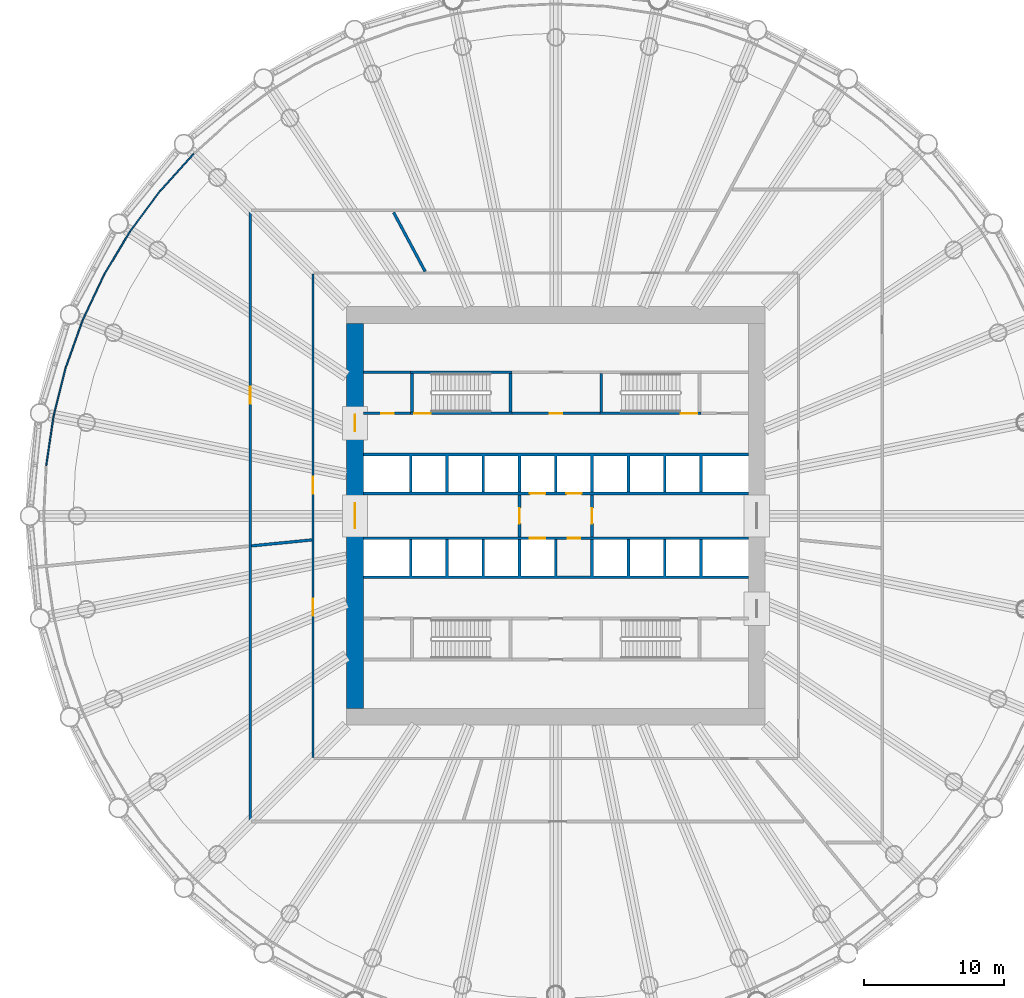
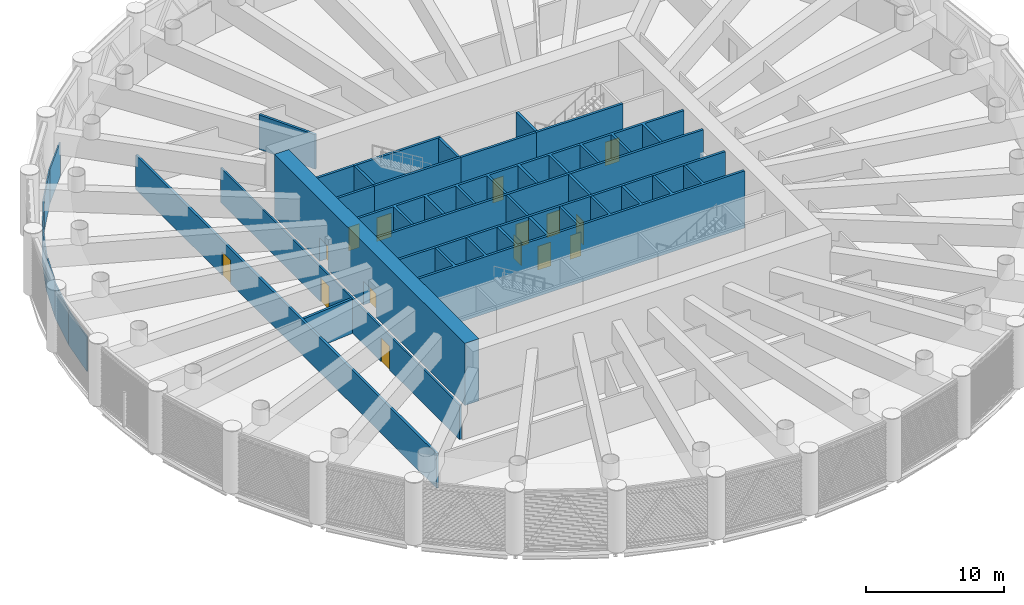
# One storey, part 9 of 26: 27 walls, 15 doors, 15 openings.
"""IFC4 building model written with IfcOpenShell, lengths in metres."""

from ifc_helpers import new_model, si_unit, direction, frame, frame_2d, origin, place, context, subcontext, project, spatial, polyline, rectangle, outline, extrude, material, layer, layer_set, type_object, element, fill, save


model = new_model("IFC4")

# Units and contexts
model_context = context("Model", 3, precision=1e-05, world=origin(), true_north=direction((0.0, 1.0)))
body_context = subcontext(model_context, "Body", "Model", "MODEL_VIEW")
ifc_project = project(units=[si_unit("LENGTHUNIT", "METRE"), si_unit("AREAUNIT", "SQUARE_METRE"), si_unit("VOLUMEUNIT", "CUBIC_METRE"), si_unit("PLANEANGLEUNIT", "RADIAN"), si_unit("MASSUNIT", "GRAM", prefix="KILO")], contexts=[model_context])

# Site, building, storey
site_placement = place(None, origin())
site = spatial("IfcSite", under=ifc_project, at=site_placement, CompositionType="ELEMENT")
building_placement = place(site_placement, origin())
building = spatial("IfcBuilding", under=site, at=building_placement, Name="Corvane Civic Tower", CompositionType="ELEMENT")
storey_placement = place(building_placement, frame((0.0, 0.0, 85.0)))
storey = spatial("IfcBuildingStorey", under=building, at=storey_placement, Name="L19", CompositionType="ELEMENT", Elevation=85.0)

# Wall, openings, doors
ifc_material_1 = material(Name="Concrete C80/95", Category="concrete")
ifc_layer_1 = layer(ifc_material_1, 1.199951171875)
ifc_layer_set_1 = layer_set([ifc_layer_1], Name="Concrete C80/95")
wall_type_1 = type_object("IfcWallType", Name="CORE WALL 1200 C80/95", PredefinedType="SHEAR", material=ifc_layer_set_1)
wall_1_placement = place(storey_placement, frame((-14.39990234375, -13.800048828125, 0.0), z_axis=(0.0, 0.0, 1.0), x_axis=(0.0, 1.0, 0.0)))
wall_1 = element("IfcWall", 1, at=wall_1_placement, inside=storey, type_object=wall_type_1, Name="W-L19-core-W", PredefinedType="SHEAR", context=body_context, shape_type="SweptSolid", body=[
    extrude(rectangle(XDim=27.60009765625, YDim=1.199951171875, at=frame_2d((13.800048828125, 0.0))), origin(), (0.0, 0.0, 1.0), 5.5),
])
opening_1_placement = place(wall_1_placement, frame((12.89990234375, 0.0, 0.0)))
opening_1 = element("IfcOpeningElement", 2, at=opening_1_placement, cuts=wall_1, Name="Opening L19.C16", PredefinedType="OPENING", context=body_context, shape_type="SweptSolid", body=[
    extrude(rectangle(XDim=1.800048828125, YDim=2.10009765625, at=frame_2d((0.89990234375, 1.050048828125))), frame((0.0, 0.60986328125, 0.0), z_axis=(0.0, -1.0, 0.0), x_axis=(1.0, 0.0, 0.0)), (0.0, 0.0, 1.0), 1.219970703125),
])
opening_2_placement = place(wall_1_placement, frame((19.85009765625, 0.0, 0.0)))
opening_2 = element("IfcOpeningElement", 3, at=opening_2_placement, cuts=wall_1, Name="Opening L19.C18", PredefinedType="OPENING", context=body_context, shape_type="SweptSolid", body=[
    extrude(rectangle(XDim=1.199951171875, YDim=2.10009765625, at=frame_2d((0.60009765625, 1.050048828125))), frame((0.0, 0.60986328125, 0.0), z_axis=(0.0, -1.0, 0.0), x_axis=(1.0, 0.0, 0.0)), (0.0, 0.0, 1.0), 1.219970703125),
])
ifc_material_2 = material(Name="Steel fire door leaf", Category="steel")
door_type_1 = type_object("IfcDoorType", Name="CR-DOOR-CORE-1800", OperationType="DOUBLE_DOOR_SINGLE_SWING", PredefinedType="DOOR", material=ifc_material_2)
door_1_placement = place(opening_1_placement, origin())
door_1 = element("IfcDoor", 4, at=door_1_placement, inside=storey, type_object=door_type_1, Name="L19 door", OperationType="DOUBLE_DOOR_SINGLE_SWING", OverallHeight=2.10009765625, OverallWidth=1.800048828125, PredefinedType="DOOR", context=body_context, shape_type="SweptSolid", body=[
    extrude(rectangle(XDim=1.800048828125, YDim=2.10009765625, at=frame_2d((0.89990234375, 1.050048828125))), frame((0.0, 0.02490234375, 0.0), z_axis=(0.0, -1.0, 0.0), x_axis=(1.0, 0.0, 0.0)), (0.0, 0.0, 1.0), 0.050048828125),
])
fill(opening_1, door_1)
door_2_placement = place(opening_2_placement, origin())
door_2 = element("IfcDoor", 5, at=door_2_placement, inside=storey, type_object=door_type_1, Name="L19 door", OperationType="DOUBLE_DOOR_SINGLE_SWING", OverallHeight=2.10009765625, OverallWidth=1.199951171875, PredefinedType="DOOR", context=body_context, shape_type="SweptSolid", body=[
    extrude(rectangle(XDim=1.199951171875, YDim=2.10009765625, at=frame_2d((0.60009765625, 1.050048828125))), frame((0.0, 0.02490234375, 0.0), z_axis=(0.0, -1.0, 0.0), x_axis=(1.0, 0.0, 0.0)), (0.0, 0.0, 1.0), 0.050048828125),
])
fill(opening_2, door_2)

ifc_material_3 = material(Name="Concrete C30/37", Category="concrete")
ifc_layer_2 = layer(ifc_material_3, 0.199951171875)
ifc_layer_set_2 = layer_set([ifc_layer_2], Name="Concrete C30/37")
wall_type_2 = type_object("IfcWallType", Name="CR-WALL-200", PredefinedType="PARTITIONING", material=ifc_layer_set_2)
wall_2_placement = place(storey_placement, frame((-13.800048828125, -1.60009765625, 0.0), z_axis=(0.0, 0.0, 1.0), x_axis=(1.0, 0.0, 0.0)))
wall_2 = element("IfcWall", 6, at=wall_2_placement, inside=storey, type_object=wall_type_2, Name="L19 lift shaft wall", PredefinedType="PARTITIONING", context=body_context, shape_type="SweptSolid", body=[
    extrude(rectangle(XDim=27.60009765625, YDim=0.199951171875, at=frame_2d((13.800048828125, 0.0))), origin(), (0.0, 0.0, 1.0), 5.050048828125),
])
opening_3_placement = place(wall_2_placement, frame((11.949951171875, 0.0, 0.0)))
opening_3 = element("IfcOpeningElement", 7, at=opening_3_placement, cuts=wall_2, Name="Opening LD", PredefinedType="OPENING", context=body_context, shape_type="SweptSolid", body=[
    extrude(rectangle(XDim=1.10009765625, YDim=2.10009765625, at=frame_2d((0.550048828125, 1.050048828125))), frame((0.0, 0.10986328125, 0.0), z_axis=(0.0, -1.0, 0.0), x_axis=(1.0, 0.0, 0.0)), (0.0, 0.0, 1.0), 0.219970703125),
])
opening_4_placement = place(wall_2_placement, frame((14.64990234375, 0.0, 0.0)))
opening_4 = element("IfcOpeningElement", 8, at=opening_4_placement, cuts=wall_2, Name="Opening L19.C01", PredefinedType="OPENING", context=body_context, shape_type="SweptSolid", body=[
    extrude(rectangle(XDim=0.89990234375, YDim=2.10009765625, at=frame_2d((0.449951171875, 1.050048828125))), frame((0.0, 0.10986328125, 0.0), z_axis=(0.0, -1.0, 0.0), x_axis=(1.0, 0.0, 0.0)), (0.0, 0.0, 1.0), 0.219970703125),
])
ifc_material_4 = material(Name="Steel fire door leaf", Category="steel")
door_type_2 = type_object("IfcDoorType", Name="CR-DOOR-900", OperationType="SINGLE_SWING_LEFT", PredefinedType="DOOR", material=ifc_material_4)
door_3_placement = place(opening_4_placement, origin())
door_3 = element("IfcDoor", 9, at=door_3_placement, inside=storey, type_object=door_type_2, Name="L19 door", OperationType="SINGLE_SWING_LEFT", OverallHeight=2.10009765625, OverallWidth=0.89990234375, PredefinedType="DOOR", context=body_context, shape_type="SweptSolid", body=[
    extrude(rectangle(XDim=0.89990234375, YDim=2.10009765625, at=frame_2d((0.449951171875, 1.050048828125))), frame((0.0, 0.02490234375, 0.0), z_axis=(0.0, -1.0, 0.0), x_axis=(1.0, 0.0, 0.0)), (0.0, 0.0, 1.0), 0.050048828125),
])
fill(opening_4, door_3)
ifc_material_5 = material(Name="Stainless steel 316 door leaves", Category="steel")
door_type_3 = type_object("IfcDoorType", Name="LD", OperationType="DOUBLE_DOOR_SLIDING", PredefinedType="DOOR", material=ifc_material_5)
door_4_placement = place(opening_3_placement, origin())
door_4 = element("IfcDoor", 10, at=door_4_placement, inside=storey, type_object=door_type_3, Name="L19 landing door", OperationType="DOUBLE_DOOR_SLIDING", OverallHeight=2.10009765625, OverallWidth=1.10009765625, PredefinedType="DOOR", context=body_context, shape_type="SweptSolid", body=[
    extrude(rectangle(XDim=1.10009765625, YDim=2.10009765625, at=frame_2d((0.550048828125, 1.050048828125))), frame((0.0, 0.02490234375, 0.0), z_axis=(0.0, -1.0, 0.0), x_axis=(1.0, 0.0, 0.0)), (0.0, 0.0, 1.0), 0.050048828125),
])
fill(opening_3, door_4)

wall_3_placement = place(storey_placement, frame((-13.800048828125, 1.60009765625, 0.0), z_axis=(0.0, 0.0, 1.0), x_axis=(1.0, 0.0, 0.0)))
wall_3 = element("IfcWall", 11, at=wall_3_placement, inside=storey, type_object=wall_type_2, Name="L19 lift shaft wall", PredefinedType="PARTITIONING", context=body_context, shape_type="SweptSolid", body=[
    extrude(rectangle(XDim=27.60009765625, YDim=0.199951171875, at=frame_2d((13.800048828125, 0.0))), origin(), (0.0, 0.0, 1.0), 5.050048828125),
])
opening_5_placement = place(wall_3_placement, frame((11.949951171875, 0.0, 0.0)))
opening_5 = element("IfcOpeningElement", 12, at=opening_5_placement, cuts=wall_3, Name="Opening LD", PredefinedType="OPENING", context=body_context, shape_type="SweptSolid", body=[
    extrude(rectangle(XDim=1.10009765625, YDim=2.10009765625, at=frame_2d((0.550048828125, 1.050048828125))), frame((0.0, 0.10986328125, 0.0), z_axis=(0.0, -1.0, 0.0), x_axis=(1.0, 0.0, 0.0)), (0.0, 0.0, 1.0), 0.219970703125),
])
opening_6_placement = place(wall_3_placement, frame((14.550048828125, 0.0, 0.0)))
opening_6 = element("IfcOpeningElement", 13, at=opening_6_placement, cuts=wall_3, Name="Opening LD", PredefinedType="OPENING", context=body_context, shape_type="SweptSolid", body=[
    extrude(rectangle(XDim=1.10009765625, YDim=2.10009765625, at=frame_2d((0.550048828125, 1.050048828125))), frame((0.0, 0.10986328125, 0.0), z_axis=(0.0, -1.0, 0.0), x_axis=(1.0, 0.0, 0.0)), (0.0, 0.0, 1.0), 0.219970703125),
])
door_5_placement = place(opening_5_placement, origin())
door_5 = element("IfcDoor", 14, at=door_5_placement, inside=storey, type_object=door_type_3, Name="L19 landing door", OperationType="DOUBLE_DOOR_SLIDING", OverallHeight=2.10009765625, OverallWidth=1.10009765625, PredefinedType="DOOR", context=body_context, shape_type="SweptSolid", body=[
    extrude(rectangle(XDim=1.10009765625, YDim=2.10009765625, at=frame_2d((0.550048828125, 1.050048828125))), frame((0.0, 0.02490234375, 0.0), z_axis=(0.0, -1.0, 0.0), x_axis=(1.0, 0.0, 0.0)), (0.0, 0.0, 1.0), 0.050048828125),
])
fill(opening_5, door_5)
door_6_placement = place(opening_6_placement, origin())
door_6 = element("IfcDoor", 15, at=door_6_placement, inside=storey, type_object=door_type_3, Name="L19 landing door", OperationType="DOUBLE_DOOR_SLIDING", OverallHeight=2.10009765625, OverallWidth=1.10009765625, PredefinedType="DOOR", context=body_context, shape_type="SweptSolid", body=[
    extrude(rectangle(XDim=1.10009765625, YDim=2.10009765625, at=frame_2d((0.550048828125, 1.050048828125))), frame((0.0, 0.02490234375, 0.0), z_axis=(0.0, -1.0, 0.0), x_axis=(1.0, 0.0, 0.0)), (0.0, 0.0, 1.0), 0.050048828125),
])
fill(opening_6, door_6)

# Wall, opening, door
wall_4_placement = place(storey_placement, frame((-13.800048828125, 7.35009765625, 0.0), z_axis=(0.0, 0.0, 1.0), x_axis=(1.0, 0.0, 0.0)))
wall_4 = element("IfcWall", 16, at=wall_4_placement, inside=storey, type_object=wall_type_2, Name="L19 core partition wall", PredefinedType="PARTITIONING", context=body_context, shape_type="SweptSolid", body=[
    extrude(rectangle(XDim=3.400146484375, YDim=0.199951171875, at=frame_2d((1.7001953125, 0.0))), origin(), (0.0, 0.0, 1.0), 5.050048828125),
])
opening_7_placement = place(wall_4_placement, frame((1.300048828125, 0.0, 0.0)))
opening_7 = element("IfcOpeningElement", 17, at=opening_7_placement, cuts=wall_4, Name="Opening L19.C06", PredefinedType="OPENING", context=body_context, shape_type="SweptSolid", body=[
    extrude(rectangle(XDim=0.89990234375, YDim=2.10009765625, at=frame_2d((0.449951171875, 1.050048828125))), frame((0.0, 0.10986328125, 0.0), z_axis=(0.0, -1.0, 0.0), x_axis=(1.0, 0.0, 0.0)), (0.0, 0.0, 1.0), 0.219970703125),
])
door_7_placement = place(opening_7_placement, origin())
door_7 = element("IfcDoor", 18, at=door_7_placement, inside=storey, type_object=door_type_2, Name="L19 door", OperationType="SINGLE_SWING_LEFT", OverallHeight=2.10009765625, OverallWidth=0.89990234375, PredefinedType="DOOR", context=body_context, shape_type="SweptSolid", body=[
    extrude(rectangle(XDim=0.89990234375, YDim=2.10009765625, at=frame_2d((0.449951171875, 1.050048828125))), frame((0.0, 0.02490234375, 0.0), z_axis=(0.0, -1.0, 0.0), x_axis=(1.0, 0.0, 0.0)), (0.0, 0.0, 1.0), 0.050048828125),
])
fill(opening_7, door_7)

wall_5_placement = place(storey_placement, frame((-3.14990234375, 7.35009765625, 0.0), z_axis=(0.0, 0.0, 1.0), x_axis=(1.0, 0.0, 0.0)))
wall_5 = element("IfcWall", 19, at=wall_5_placement, inside=storey, type_object=wall_type_2, Name="L19 core partition wall", PredefinedType="PARTITIONING", context=body_context, shape_type="SweptSolid", body=[
    extrude(rectangle(XDim=6.2998046875, YDim=0.199951171875, at=frame_2d((3.14990234375, 0.0))), origin(), (0.0, 0.0, 1.0), 5.050048828125),
])
opening_8_placement = place(wall_5_placement, frame((2.699951171875, 0.0, 0.0)))
opening_8 = element("IfcOpeningElement", 20, at=opening_8_placement, cuts=wall_5, Name="Opening L19.C02", PredefinedType="OPENING", context=body_context, shape_type="SweptSolid", body=[
    extrude(rectangle(XDim=0.89990234375, YDim=2.10009765625, at=frame_2d((0.449951171875, 1.050048828125))), frame((0.0, 0.10986328125, 0.0), z_axis=(0.0, -1.0, 0.0), x_axis=(1.0, 0.0, 0.0)), (0.0, 0.0, 1.0), 0.219970703125),
])
door_8_placement = place(opening_8_placement, origin())
door_8 = element("IfcDoor", 21, at=door_8_placement, inside=storey, type_object=door_type_2, Name="L19 door", OperationType="SINGLE_SWING_LEFT", OverallHeight=2.10009765625, OverallWidth=0.89990234375, PredefinedType="DOOR", context=body_context, shape_type="SweptSolid", body=[
    extrude(rectangle(XDim=0.89990234375, YDim=2.10009765625, at=frame_2d((0.449951171875, 1.050048828125))), frame((0.0, 0.02490234375, 0.0), z_axis=(0.0, -1.0, 0.0), x_axis=(1.0, 0.0, 0.0)), (0.0, 0.0, 1.0), 0.050048828125),
])
fill(opening_8, door_8)

wall_6_placement = place(storey_placement, frame((-2.60009765625, -1.5, 0.0), z_axis=(0.0, 0.0, 1.0), x_axis=(0.0, 1.0, 0.0)))
wall_6 = element("IfcWall", 22, at=wall_6_placement, inside=storey, type_object=wall_type_2, Name="L19 firefighting lobby wall", PredefinedType="PARTITIONING", context=body_context, shape_type="SweptSolid", body=[
    extrude(rectangle(XDim=3.0, YDim=0.199951171875, at=frame_2d((1.5, 0.0))), origin(), (0.0, 0.0, 1.0), 5.050048828125),
])
opening_9_placement = place(wall_6_placement, frame((0.949951171875, 0.0, 0.0)))
opening_9 = element("IfcOpeningElement", 23, at=opening_9_placement, cuts=wall_6, Name="Opening L19.C14", PredefinedType="OPENING", context=body_context, shape_type="SweptSolid", body=[
    extrude(rectangle(XDim=1.10009765625, YDim=2.10009765625, at=frame_2d((0.550048828125, 1.050048828125))), frame((0.0, 0.10986328125, 0.0), z_axis=(0.0, -1.0, 0.0), x_axis=(1.0, 0.0, 0.0)), (0.0, 0.0, 1.0), 0.219970703125),
])
ifc_material_6 = material(Name="Steel fire door leaf", Category="steel")
door_type_4 = type_object("IfcDoorType", Name="CR-DOOR-FFL-1100", OperationType="SINGLE_SWING_LEFT", PredefinedType="DOOR", material=ifc_material_6)
door_9_placement = place(opening_9_placement, origin())
door_9 = element("IfcDoor", 24, at=door_9_placement, inside=storey, type_object=door_type_4, Name="L19 lobby door", OperationType="SINGLE_SWING_LEFT", OverallHeight=2.10009765625, OverallWidth=1.10009765625, PredefinedType="DOOR", context=body_context, shape_type="SweptSolid", body=[
    extrude(rectangle(XDim=1.10009765625, YDim=2.10009765625, at=frame_2d((0.550048828125, 1.050048828125))), frame((0.0, 0.02490234375, 0.0), z_axis=(0.0, -1.0, 0.0), x_axis=(1.0, 0.0, 0.0)), (0.0, 0.0, 1.0), 0.050048828125),
])
fill(opening_9, door_9)

wall_7_placement = place(storey_placement, frame((2.60009765625, -1.5, 0.0), z_axis=(0.0, 0.0, 1.0), x_axis=(0.0, 1.0, 0.0)))
wall_7 = element("IfcWall", 25, at=wall_7_placement, inside=storey, type_object=wall_type_2, Name="L19 firefighting lobby wall", PredefinedType="PARTITIONING", context=body_context, shape_type="SweptSolid", body=[
    extrude(rectangle(XDim=3.0, YDim=0.199951171875, at=frame_2d((1.5, 0.0))), origin(), (0.0, 0.0, 1.0), 5.050048828125),
])
opening_10_placement = place(wall_7_placement, frame((0.949951171875, 0.0, 0.0)))
opening_10 = element("IfcOpeningElement", 26, at=opening_10_placement, cuts=wall_7, Name="Opening L19.C15", PredefinedType="OPENING", context=body_context, shape_type="SweptSolid", body=[
    extrude(rectangle(XDim=1.10009765625, YDim=2.10009765625, at=frame_2d((0.550048828125, 1.050048828125))), frame((0.0, 0.10986328125, 0.0), z_axis=(0.0, -1.0, 0.0), x_axis=(1.0, 0.0, 0.0)), (0.0, 0.0, 1.0), 0.219970703125),
])
door_10_placement = place(opening_10_placement, origin())
door_10 = element("IfcDoor", 27, at=door_10_placement, inside=storey, type_object=door_type_4, Name="L19 lobby door", OperationType="SINGLE_SWING_LEFT", OverallHeight=2.10009765625, OverallWidth=1.10009765625, PredefinedType="DOOR", context=body_context, shape_type="SweptSolid", body=[
    extrude(rectangle(XDim=1.10009765625, YDim=2.10009765625, at=frame_2d((0.550048828125, 1.050048828125))), frame((0.0, 0.02490234375, 0.0), z_axis=(0.0, -1.0, 0.0), x_axis=(1.0, 0.0, 0.0)), (0.0, 0.0, 1.0), 0.050048828125),
])
fill(opening_10, door_10)

# Walls
wall_8_placement = place(storey_placement, origin())
element("IfcWall", 28, at=wall_8_placement, inside=storey, type_object=wall_type_2, Name="L19 core partition wall", PredefinedType="PARTITIONING", context=body_context, shape_type="SweptSolid", body=[
    extrude(outline(polyline([(-13.800048828125, 10.199951171875), (-13.800048828125, 10.39990234375), (-10.39990234375, 10.39990234375), (-10.39990234375, 10.199951171875), (-13.800048828125, 10.199951171875)])), origin(), (0.0, 0.0, 1.0), 5.050048828125),
])
wall_9_placement = place(storey_placement, origin())
element("IfcWall", 29, at=wall_9_placement, inside=storey, type_object=wall_type_2, Name="L19 core partition wall", PredefinedType="PARTITIONING", context=body_context, shape_type="SweptSolid", body=[
    extrude(outline(polyline([(-10.5, -1.699951171875), (-10.300048828125, -1.699951171875), (-10.300048828125, -4.300048828125), (-7.89990234375, -4.300048828125), (-7.89990234375, -1.699951171875), (-7.699951171875, -1.699951171875), (-7.699951171875, -4.300048828125), (-5.300048828125, -4.300048828125), (-5.300048828125, -1.699951171875), (-5.10009765625, -1.699951171875), (-5.10009765625, -4.300048828125), (-2.699951171875, -4.300048828125), (-2.699951171875, -1.699951171875), (-2.5, -1.699951171875), (-2.5, -4.300048828125), (-0.10009765625, -4.300048828125), (-0.10009765625, -1.699951171875), (0.10009765625, -1.699951171875), (0.10009765625, -4.300048828125), (2.5, -4.300048828125), (2.5, -1.699951171875), (2.699951171875, -1.699951171875), (2.699951171875, -4.300048828125), (5.10009765625, -4.300048828125), (5.10009765625, -1.699951171875), (5.300048828125, -1.699951171875), (5.300048828125, -4.300048828125), (7.699951171875, -4.300048828125), (7.699951171875, -1.699951171875), (7.89990234375, -1.699951171875), (7.89990234375, -4.300048828125), (10.300048828125, -4.300048828125), (10.300048828125, -1.699951171875), (10.5, -1.699951171875), (10.5, -4.300048828125), (13.800048828125, -4.300048828125), (13.800048828125, -4.5), (-13.800048828125, -4.5), (-13.800048828125, -4.300048828125), (-10.5, -4.300048828125), (-10.5, -1.699951171875)])), origin(), (0.0, 0.0, 1.0), 5.050048828125),
])
wall_10_placement = place(storey_placement, origin())
element("IfcWall", 30, at=wall_10_placement, inside=storey, type_object=wall_type_2, Name="L19 core partition wall", PredefinedType="PARTITIONING", context=body_context, shape_type="SweptSolid", body=[
    extrude(outline(polyline([(-7.699951171875, 4.300048828125), (-7.699951171875, 1.699951171875), (-7.89990234375, 1.699951171875), (-7.89990234375, 4.300048828125), (-10.300048828125, 4.300048828125), (-10.300048828125, 1.699951171875), (-10.5, 1.699951171875), (-10.5, 4.300048828125), (-13.800048828125, 4.300048828125), (-13.800048828125, 4.5), (13.800048828125, 4.5), (13.800048828125, 4.300048828125), (10.5, 4.300048828125), (10.5, 1.699951171875), (10.300048828125, 1.699951171875), (10.300048828125, 4.300048828125), (7.89990234375, 4.300048828125), (7.89990234375, 1.699951171875), (7.699951171875, 1.699951171875), (7.699951171875, 4.300048828125), (5.300048828125, 4.300048828125), (5.300048828125, 1.699951171875), (5.10009765625, 1.699951171875), (5.10009765625, 4.300048828125), (2.699951171875, 4.300048828125), (2.699951171875, 1.699951171875), (2.5, 1.699951171875), (2.5, 4.300048828125), (0.10009765625, 4.300048828125), (0.10009765625, 1.699951171875), (-0.10009765625, 1.699951171875), (-0.10009765625, 4.300048828125), (-2.5, 4.300048828125), (-2.5, 1.699951171875), (-2.699951171875, 1.699951171875), (-2.699951171875, 4.300048828125), (-5.10009765625, 4.300048828125), (-5.10009765625, 1.699951171875), (-5.300048828125, 1.699951171875), (-5.300048828125, 4.300048828125), (-7.699951171875, 4.300048828125)])), origin(), (0.0, 0.0, 1.0), 5.050048828125),
])
ifc_material_7 = material(Name="Plasterboard")
ifc_layer_3 = layer(ifc_material_7, 0.10009765625)
ifc_layer_set_3 = layer_set([ifc_layer_3], Name="Plasterboard")
wall_type_3 = type_object("IfcWallType", Name="Partition 100 plasterboard on studs", PredefinedType="PARTITIONING", material=ifc_layer_set_3)
wall_11_placement = place(storey_placement, frame((-28.368408203125, 23.281494140625, 0.0), z_axis=(0.0, 0.0, 1.0), x_axis=(0.671545014359, 0.740963760038, 0.0)))
element("IfcWall", 31, at=wall_11_placement, inside=storey, type_object=wall_type_3, Name="Partition L19.067", PredefinedType="PARTITIONING", context=body_context, shape_type="SweptSolid", body=[
    extrude(rectangle(XDim=3.601318359375, YDim=0.10009765625, at=frame_2d((1.80078125, 0.0))), origin(), (0.0, 0.0, 1.0), 3.050048828125),
])
for number, where, z_axis, x_axis, name in (
    (32, (-30.513916015625, 20.388671875, 0.0), (0.0, 0.0, 1.0), (0.595707293286, 0.803201606526, 0.0), "Partition L19.069"),
    (33, (-32.365478515625, 17.299560546875, 0.0), (0.0, 0.0, 1.0), (0.514106916367, 0.857726109282, 0.0), "Partition L19.071"),
):
    element("IfcWall", number, at=place(storey_placement, frame(where, z_axis=z_axis, x_axis=x_axis)), inside=storey, type_object=wall_type_3, Name=name, PredefinedType="PARTITIONING", context=body_context, shape_type="SweptSolid", body=[
        extrude(rectangle(XDim=3.6015625, YDim=0.10009765625, at=frame_2d((1.80078125, 0.0))), origin(), (0.0, 0.0, 1.0), 3.050048828125),
    ])
for number, where, z_axis, x_axis, name in (
    (34, (-33.9052734375, 14.0439453125, 0.0), (0.0, 0.0, 1.0), (0.427555908533, 0.903988907608, 0.0), "Partition L19.073"),
    (35, (-35.118408203125, 10.653076171875, 0.0), (0.0, 0.0, 1.0), (0.336855978405, 0.94155618516, 0.0), "Partition L19.075"),
    (36, (-35.99365234375, 7.15966796875, 0.0), (0.0, 0.0, 1.0), (0.243030067704, 0.970018755588, 0.0), "Partition L19.077"),
):
    element("IfcWall", number, at=place(storey_placement, frame(where, z_axis=z_axis, x_axis=x_axis)), inside=storey, type_object=wall_type_3, Name=name, PredefinedType="PARTITIONING", context=body_context, shape_type="SweptSolid", body=[
        extrude(rectangle(XDim=3.601318359375, YDim=0.10009765625, at=frame_2d((1.80078125, 0.0))), origin(), (0.0, 0.0, 1.0), 3.050048828125),
    ])
wall_12_placement = place(storey_placement, frame((-36.52197265625, 3.59716796875, 0.0), z_axis=(0.0, 0.0, 1.0), x_axis=(0.14669606709, 0.989181613204, 0.0)))
element("IfcWall", 37, at=wall_12_placement, inside=storey, type_object=wall_type_3, Name="Partition L19.079", PredefinedType="PARTITIONING", context=body_context, shape_type="SweptSolid", body=[
    extrude(rectangle(XDim=3.6015625, YDim=0.10009765625, at=frame_2d((1.80078125, 0.0))), origin(), (0.0, 0.0, 1.0), 3.050048828125),
])

# Wall, opening, door
ifc_material_8 = material(Name="Gypsum fibreboard")
ifc_layer_4 = layer(ifc_material_8, 0.199951171875)
ifc_layer_set_4 = layer_set([ifc_layer_4], Name="Gypsum fibreboard")
wall_type_4 = type_object("IfcWallType", Name="Plant and refuge wall 200 EI 120", PredefinedType="PARTITIONING", material=ifc_layer_set_4)
wall_13_placement = place(storey_placement, frame((-21.89990234375, -21.800048828125, 0.0), z_axis=(0.0, 0.0, 1.0), x_axis=(0.0, 1.0, 0.0)))
wall_13 = element("IfcWall", 38, at=wall_13_placement, inside=storey, type_object=wall_type_4, Name="Partition L19.005", PredefinedType="PARTITIONING", context=body_context, shape_type="SweptSolid", body=[
    extrude(rectangle(XDim=43.60009765625, YDim=0.199951171875, at=frame_2d((21.800048828125, 0.0))), origin(), (0.0, 0.0, 1.0), 3.050048828125),
])
opening_11_placement = place(wall_13_placement, frame((29.847412109375, 0.0, 0.0)))
opening_11 = element("IfcOpeningElement", 39, at=opening_11_placement, cuts=wall_13, Name="Opening L19.004", PredefinedType="OPENING", context=body_context, shape_type="SweptSolid", body=[
    extrude(rectangle(XDim=1.199951171875, YDim=2.10009765625, at=frame_2d((0.60009765625, 1.050048828125))), frame((0.0, 0.10986328125, 0.0), z_axis=(0.0, -1.0, 0.0), x_axis=(1.0, 0.0, 0.0)), (0.0, 0.0, 1.0), 0.219970703125),
])
ifc_material_9 = material(Name="Steel and timber", Category="steel")
door_type_5 = type_object("IfcDoorType", Name="Fire door FD60 1200", OperationType="NOTDEFINED", PredefinedType="DOOR", material=ifc_material_9)
door_11_placement = place(opening_11_placement, origin())
door_11 = element("IfcDoor", 40, at=door_11_placement, inside=storey, type_object=door_type_5, Name="Door L19.004", OperationType="SINGLE_SWING_LEFT", OverallHeight=2.10009765625, OverallWidth=1.199951171875, PredefinedType="DOOR", context=body_context, shape_type="SweptSolid", body=[
    extrude(rectangle(XDim=1.199951171875, YDim=2.10009765625, at=frame_2d((0.60009765625, 1.050048828125))), frame((0.0, 0.02490234375, 0.0), z_axis=(0.0, -1.0, 0.0), x_axis=(1.0, 0.0, 0.0)), (0.0, 0.0, 1.0), 0.050048828125),
])
fill(opening_11, door_11)

# Walls
wall_14_placement = place(storey_placement, frame((-21.800048828125, -2.147216796875, 0.0), z_axis=(0.0, 0.0, 1.0), x_axis=(0.995183823455, 0.098026310418, 0.0)))
element("IfcWall", 41, at=wall_14_placement, inside=storey, type_object=wall_type_4, Name="Partition L19.012", PredefinedType="PARTITIONING", context=body_context, shape_type="SweptSolid", body=[
    extrude(rectangle(XDim=4.336181640625, YDim=0.199951171875, at=frame_2d((2.16796875, 0.0))), origin(), (0.0, 0.0, 1.0), 3.050048828125),
])
wall_15_placement = place(storey_placement, frame((-11.627197265625, 21.7529296875, 0.0), z_axis=(0.0, 0.0, 1.0), x_axis=(0.471414807464, -0.881911605153, 0.0)))
element("IfcWall", 42, at=wall_15_placement, inside=storey, type_object=wall_type_4, Name="Partition L19.014", PredefinedType="PARTITIONING", context=body_context, shape_type="SweptSolid", body=[
    extrude(rectangle(XDim=4.797119140625, YDim=0.199951171875, at=frame_2d((2.3984375, 0.0))), origin(), (0.0, 0.0, 1.0), 3.050048828125),
])

# Wall, opening, door
ifc_material_10 = material(Name="Concrete C50/60", Category="concrete")
ifc_layer_5 = layer(ifc_material_10, 0.199951171875)
ifc_layer_set_5 = layer_set([ifc_layer_5], Name="Concrete C50/60")
wall_type_5 = type_object("IfcWallType", Name="ST-WALL-200", PredefinedType="SHEAR", material=ifc_layer_set_5)
wall_16_placement = place(storey_placement, frame((-10.39990234375, 7.35009765625, 0.0), z_axis=(0.0, 0.0, 1.0), x_axis=(1.0, 0.0, 0.0)))
wall_16 = element("IfcWall", 43, at=wall_16_placement, inside=storey, type_object=wall_type_5, Name="L19 stair enclosure wall", PredefinedType="SHEAR", context=body_context, shape_type="SweptSolid", body=[
    extrude(rectangle(XDim=7.25, YDim=0.199951171875, at=frame_2d((3.625, 0.0))), origin(), (0.0, 0.0, 1.0), 5.050048828125),
])
opening_12_placement = place(wall_16_placement, frame((0.25, 0.0, 0.0)))
opening_12 = element("IfcOpeningElement", 44, at=opening_12_placement, cuts=wall_16, Name="Opening L19.C11", PredefinedType="OPENING", context=body_context, shape_type="SweptSolid", body=[
    extrude(rectangle(XDim=1.199951171875, YDim=2.10009765625, at=frame_2d((0.60009765625, 1.050048828125))), frame((0.0, 0.10986328125, 0.0), z_axis=(0.0, -1.0, 0.0), x_axis=(1.0, 0.0, 0.0)), (0.0, 0.0, 1.0), 0.219970703125),
])
ifc_material_11 = material(Name="Steel fire door leaf", Category="steel")
door_type_6 = type_object("IfcDoorType", Name="ST-DOOR-1200", OperationType="SINGLE_SWING_RIGHT", PredefinedType="DOOR", material=ifc_material_11)
door_12_placement = place(opening_12_placement, origin())
door_12 = element("IfcDoor", 45, at=door_12_placement, inside=storey, type_object=door_type_6, Name="L19 stair door", OperationType="SINGLE_SWING_RIGHT", OverallHeight=2.10009765625, OverallWidth=1.199951171875, PredefinedType="DOOR", context=body_context, shape_type="SweptSolid", body=[
    extrude(rectangle(XDim=1.199951171875, YDim=2.10009765625, at=frame_2d((0.60009765625, 1.050048828125))), frame((0.0, 0.02490234375, 0.0), z_axis=(0.0, -1.0, 0.0), x_axis=(1.0, 0.0, 0.0)), (0.0, 0.0, 1.0), 0.050048828125),
])
fill(opening_12, door_12)

wall_17_placement = place(storey_placement, frame((3.14990234375, 7.35009765625, 0.0), z_axis=(0.0, 0.0, 1.0), x_axis=(1.0, 0.0, 0.0)))
wall_17 = element("IfcWall", 46, at=wall_17_placement, inside=storey, type_object=wall_type_5, Name="L19 stair enclosure wall", PredefinedType="SHEAR", context=body_context, shape_type="SweptSolid", body=[
    extrude(rectangle(XDim=7.25, YDim=0.199951171875, at=frame_2d((3.625, 0.0))), origin(), (0.0, 0.0, 1.0), 5.050048828125),
])
opening_13_placement = place(wall_17_placement, frame((5.800048828125, 0.0, 0.0)))
opening_13 = element("IfcOpeningElement", 47, at=opening_13_placement, cuts=wall_17, Name="Opening L19.C10", PredefinedType="OPENING", context=body_context, shape_type="SweptSolid", body=[
    extrude(rectangle(XDim=1.199951171875, YDim=2.10009765625, at=frame_2d((0.60009765625, 1.050048828125))), frame((0.0, 0.10986328125, 0.0), z_axis=(0.0, -1.0, 0.0), x_axis=(1.0, 0.0, 0.0)), (0.0, 0.0, 1.0), 0.219970703125),
])
door_13_placement = place(opening_13_placement, origin())
door_13 = element("IfcDoor", 48, at=door_13_placement, inside=storey, type_object=door_type_6, Name="L19 stair door", OperationType="SINGLE_SWING_RIGHT", OverallHeight=2.10009765625, OverallWidth=1.199951171875, PredefinedType="DOOR", context=body_context, shape_type="SweptSolid", body=[
    extrude(rectangle(XDim=1.199951171875, YDim=2.10009765625, at=frame_2d((0.60009765625, 1.050048828125))), frame((0.0, 0.02490234375, 0.0), z_axis=(0.0, -1.0, 0.0), x_axis=(1.0, 0.0, 0.0)), (0.0, 0.0, 1.0), 0.050048828125),
])
fill(opening_13, door_13)

# Walls
wall_18_placement = place(storey_placement, origin())
element("IfcWall", 49, at=wall_18_placement, inside=storey, type_object=wall_type_5, Name="L19 stair enclosure wall", PredefinedType="SHEAR", context=body_context, shape_type="SweptSolid", body=[
    extrude(outline(polyline([(-3.14990234375, 10.199951171875), (-10.39990234375, 10.199951171875), (-10.39990234375, 10.39990234375), (-3.14990234375, 10.39990234375), (-3.14990234375, 10.199951171875)])), origin(), (0.0, 0.0, 1.0), 5.050048828125),
])
wall_19_placement = place(storey_placement, origin())
element("IfcWall", 50, at=wall_19_placement, inside=storey, type_object=wall_type_5, Name="L19 stair enclosure wall", PredefinedType="SHEAR", context=body_context, shape_type="SweptSolid", body=[
    extrude(outline(polyline([(-3.14990234375, 7.449951171875), (-3.35009765625, 7.449951171875), (-3.35009765625, 10.199951171875), (-3.14990234375, 10.199951171875), (-3.14990234375, 7.449951171875)])), origin(), (0.0, 0.0, 1.0), 5.050048828125),
])
wall_20_placement = place(storey_placement, origin())
element("IfcWall", 51, at=wall_20_placement, inside=storey, type_object=wall_type_5, Name="L19 stair enclosure wall", PredefinedType="SHEAR", context=body_context, shape_type="SweptSolid", body=[
    extrude(outline(polyline([(3.35009765625, 7.449951171875), (3.14990234375, 7.449951171875), (3.14990234375, 10.199951171875), (3.35009765625, 10.199951171875), (3.35009765625, 7.449951171875)])), origin(), (0.0, 0.0, 1.0), 5.050048828125),
])
wall_21_placement = place(storey_placement, origin())
element("IfcWall", 52, at=wall_21_placement, inside=storey, type_object=wall_type_5, Name="L19 stair enclosure wall", PredefinedType="SHEAR", context=body_context, shape_type="SweptSolid", body=[
    extrude(outline(polyline([(-10.199951171875, 7.449951171875), (-10.39990234375, 7.449951171875), (-10.39990234375, 10.199951171875), (-10.199951171875, 10.199951171875), (-10.199951171875, 7.449951171875)])), origin(), (0.0, 0.0, 1.0), 5.050048828125),
])

# Wall, openings, doors
ifc_material_12 = material(Name="Plasterboard")
ifc_layer_6 = layer(ifc_material_12, 0.14990234375)
ifc_layer_set_6 = layer_set([ifc_layer_6], Name="Plasterboard")
wall_type_6 = type_object("IfcWallType", Name="Tenancy wall 150 EI 60", PredefinedType="PARTITIONING", material=ifc_layer_set_6)
wall_22_placement = place(storey_placement, frame((-17.39990234375, -17.324951171875, 0.0), z_axis=(0.0, 0.0, 1.0), x_axis=(0.0, 1.0, 0.0)))
wall_22 = element("IfcWall", 53, at=wall_22_placement, inside=storey, type_object=wall_type_6, Name="Partition L19.008", PredefinedType="PARTITIONING", context=body_context, shape_type="SweptSolid", body=[
    extrude(rectangle(XDim=34.64990234375, YDim=0.14990234375, at=frame_2d((17.324951171875, 0.0))), origin(), (0.0, 0.0, 1.0), 3.050048828125),
])
opening_14_placement = place(wall_22_placement, frame((10.1748046875, 0.0, 0.0)))
opening_14 = element("IfcOpeningElement", 54, at=opening_14_placement, cuts=wall_22, Name="Opening L19.003", PredefinedType="OPENING", context=body_context, shape_type="SweptSolid", body=[
    extrude(rectangle(XDim=1.199951171875, YDim=2.10009765625, at=frame_2d((0.60009765625, 1.050048828125))), frame((0.0, 0.0849609375, 0.0), z_axis=(0.0, -1.0, 0.0), x_axis=(1.0, 0.0, 0.0)), (0.0, 0.0, 1.0), 0.169921875),
])
opening_15_placement = place(wall_22_placement, frame((18.91552734375, 0.0, 0.0)))
opening_15 = element("IfcOpeningElement", 55, at=opening_15_placement, cuts=wall_22, Name="Opening L19.005", PredefinedType="OPENING", context=body_context, shape_type="SweptSolid", body=[
    extrude(rectangle(XDim=1.199951171875, YDim=2.10009765625, at=frame_2d((0.60009765625, 1.050048828125))), frame((0.0, 0.0849609375, 0.0), z_axis=(0.0, -1.0, 0.0), x_axis=(1.0, 0.0, 0.0)), (0.0, 0.0, 1.0), 0.169921875),
])
door_14_placement = place(opening_14_placement, origin())
door_14 = element("IfcDoor", 56, at=door_14_placement, inside=storey, type_object=door_type_5, Name="Door L19.003", OperationType="SINGLE_SWING_LEFT", OverallHeight=2.10009765625, OverallWidth=1.199951171875, PredefinedType="DOOR", context=body_context, shape_type="SweptSolid", body=[
    extrude(rectangle(XDim=1.199951171875, YDim=2.10009765625, at=frame_2d((0.60009765625, 1.050048828125))), frame((0.0, 0.02490234375, 0.0), z_axis=(0.0, -1.0, 0.0), x_axis=(1.0, 0.0, 0.0)), (0.0, 0.0, 1.0), 0.050048828125),
])
fill(opening_14, door_14)
door_15_placement = place(opening_15_placement, origin())
door_15 = element("IfcDoor", 57, at=door_15_placement, inside=storey, type_object=door_type_5, Name="Door L19.005", OperationType="SINGLE_SWING_RIGHT", OverallHeight=2.10009765625, OverallWidth=1.199951171875, PredefinedType="DOOR", context=body_context, shape_type="SweptSolid", body=[
    extrude(rectangle(XDim=1.199951171875, YDim=2.10009765625, at=frame_2d((0.60009765625, 1.050048828125))), frame((0.0, 0.02490234375, 0.0), z_axis=(0.0, -1.0, 0.0), x_axis=(1.0, 0.0, 0.0)), (0.0, 0.0, 1.0), 0.050048828125),
])
fill(opening_15, door_15)

save(model, "model.ifc")
